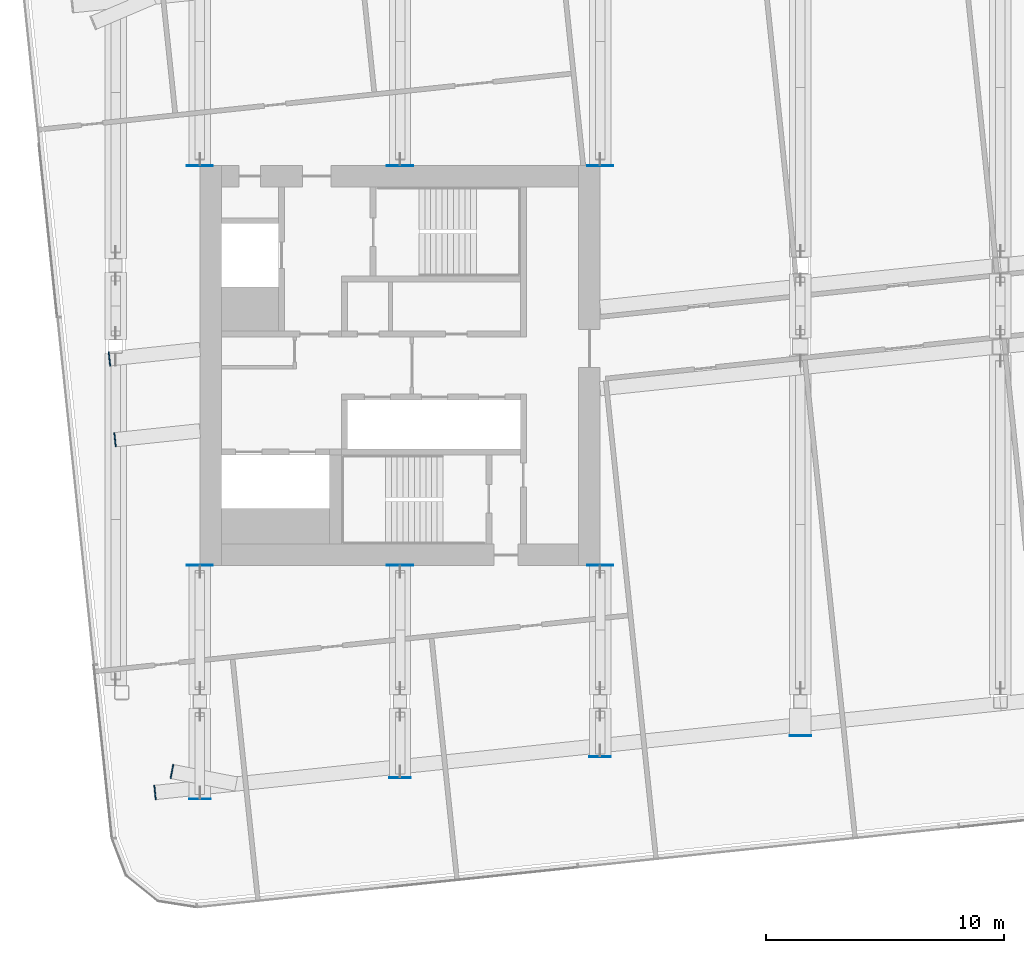
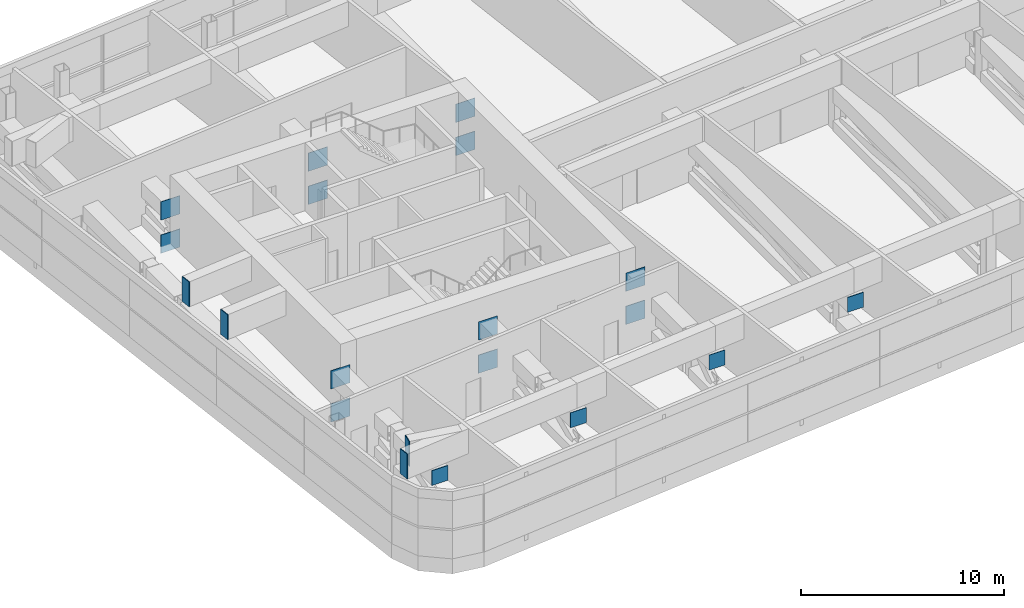
# One storey, part 20 of 33: 20 discrete accessories.
"""IFC4 building model written with IfcOpenShell, lengths in metres."""

from ifc_helpers import new_model, si_unit, direction, frame, origin, origin_2d, place, context, subcontext, project, spatial, rectangle, extrude, material, material_profile, profile_set, type_object, element, save


model = new_model("IFC4")

# Units and contexts
model_context = context("Model", 3, precision=1e-05, world=origin(), true_north=direction((0.0, 1.0)))
body_context = subcontext(model_context, "Body", "Model", "MODEL_VIEW")
ifc_project = project(units=[si_unit("LENGTHUNIT", "METRE"), si_unit("AREAUNIT", "SQUARE_METRE"), si_unit("VOLUMEUNIT", "CUBIC_METRE"), si_unit("PLANEANGLEUNIT", "RADIAN"), si_unit("MASSUNIT", "GRAM", prefix="KILO")], contexts=[model_context])

# Site, building, storey
site_placement = place(None, origin())
site = spatial("IfcSite", under=ifc_project, at=site_placement, CompositionType="ELEMENT")
building_placement = place(site_placement, origin())
building = spatial("IfcBuilding", under=site, at=building_placement, Name="Hakoniwa Tower and Hamabe Station Hall", CompositionType="ELEMENT")
storey_placement = place(building_placement, frame((0.0, 0.0, 228.199951171875)))
storey = spatial("IfcBuildingStorey", under=building, at=storey_placement, Name="L65", CompositionType="ELEMENT", Elevation=228.199951171875)

# Discrete accessories
ifc_material_1 = material(Name="Steel SN490C", Category="steel")
ifc_material_profile_1 = material_profile(ifc_material_1, rectangle(XDim=1.10009765625, YDim=1.10009765625, at=origin_2d()), Name="CAST-IN PLATE BX-900x900x36")
ifc_profile_set_1 = profile_set([ifc_material_profile_1], Name="Steel SN490C")
discrete_accessory_type_1 = type_object("IfcDiscreteAccessoryType", Name="CAST-IN PLATE BX-900x900x36", PredefinedType="ANCHORPLATE", material=ifc_profile_set_1)
for number, where, z_axis, x_axis, name in (
    (1, (-33.60009765625, -8.3701171875, 0.150146484375), (0.0, -1.0, 0.0), (1.0, 0.0, 0.0), "Cast-in plate T4-03-BC01"),
    (2, (-33.60009765625, -8.3701171875, 2.150146484375), (0.0, -1.0, 0.0), (1.0, 0.0, 0.0), "Cast-in plate T4-03-TC01"),
    (3, (-33.60009765625, 8.3701171875, 0.150146484375), (0.0, 1.0, 0.0), (-1.0, 0.0, 0.0), "Cast-in plate T4-04-BC01"),
    (4, (-33.60009765625, 8.3701171875, 2.150146484375), (0.0, 1.0, 0.0), (-1.0, 0.0, 0.0), "Cast-in plate T4-04-TC01"),
    (5, (-25.199951171875, -8.3701171875, 0.150146484375), (0.0, -1.0, 0.0), (1.0, 0.0, 0.0), "Cast-in plate T4-05-BC01"),
    (6, (-25.199951171875, -8.3701171875, 2.150146484375), (0.0, -1.0, 0.0), (1.0, 0.0, 0.0), "Cast-in plate T4-05-TC01"),
    (7, (-25.199951171875, 8.3701171875, 0.150146484375), (0.0, 1.0, 0.0), (-1.0, 0.0, 0.0), "Cast-in plate T4-06-BC01"),
    (8, (-25.199951171875, 8.3701171875, 2.150146484375), (0.0, 1.0, 0.0), (-1.0, 0.0, 0.0), "Cast-in plate T4-06-TC01"),
    (9, (-16.800048828125, -8.3701171875, 0.150146484375), (0.0, -1.0, 0.0), (1.0, 0.0, 0.0), "Cast-in plate T4-07-BC01"),
    (10, (-16.800048828125, -8.3701171875, 2.150146484375), (0.0, -1.0, 0.0), (1.0, 0.0, 0.0), "Cast-in plate T4-07-TC01"),
    (11, (-16.800048828125, 8.3701171875, 0.150146484375), (0.0, 1.0, 0.0), (-1.0, 0.0, 0.0), "Cast-in plate T4-08-BC01"),
    (12, (-16.800048828125, 8.3701171875, 2.150146484375), (0.0, 1.0, 0.0), (-1.0, 0.0, 0.0), "Cast-in plate T4-08-TC01"),
):
    element("IfcDiscreteAccessory", number, at=place(storey_placement, frame(where, z_axis=z_axis, x_axis=x_axis)), inside=storey, type_object=discrete_accessory_type_1, Name=name, PredefinedType="ANCHORPLATE", context=body_context, shape_type="SweptSolid", body=[
        extrude(rectangle(XDim=1.10009765625, YDim=1.10009765625, at=origin_2d()), origin(), (0.0, 0.0, 1.0), 0.02978515625),
    ])
ifc_material_2 = material(Name="Steel SN490C", Category="steel")
ifc_material_profile_2 = material_profile(ifc_material_2, rectangle(XDim=0.60009765625, YDim=1.5, at=origin_2d()), Name="END CAP PLATE BX-1500x600x55")
ifc_profile_set_2 = profile_set([ifc_material_profile_2], Name="Steel SN490C")
discrete_accessory_type_2 = type_object("IfcDiscreteAccessoryType", Name="END CAP PLATE BX-1500x600x55", PredefinedType="USERDEFINED", material=ifc_profile_set_2)
for number, where, z_axis, x_axis, name in (
    (13, (-35.5048828125, -17.922607421875, 3.35009765625), (0.994710856858, 0.102714708045, 0.0), (-0.102714708045, 0.994710856858, 0.0), "End cap plate T4-S-A5-G1"),
    (14, (-37.183837890625, -3.117431640625, 3.35009765625), (0.994710856858, 0.102714708045, 0.0), (-0.102714708045, 0.994710856858, 0.0), "End cap plate T4-S-C5-G1"),
):
    element("IfcDiscreteAccessory", number, at=place(storey_placement, frame(where, z_axis=z_axis, x_axis=x_axis)), inside=storey, type_object=discrete_accessory_type_2, Name=name, ObjectType="END CAP PLATE", PredefinedType="USERDEFINED", context=body_context, shape_type="SweptSolid", body=[
        extrude(rectangle(XDim=0.60009765625, YDim=1.5, at=origin_2d()), origin(), (0.0, 0.0, 1.0), 0.045166015625),
    ])
for number, where, z_axis, x_axis, name in (
    (15, (-37.417724609375, 0.2763671875, 3.35009765625), (0.994653358114, 0.103270020788, 0.0), (-0.103270020788, 0.994653358114, 0.0), "End cap plate T4-S-D5-G1"),
    (16, (-34.7509765625, -17.04296875, 3.35009765625), (-0.981812480306, 0.189853242048, 0.0), (-0.189853242048, -0.981812480306, 0.0), "End cap plate L65-XG1"),
):
    element("IfcDiscreteAccessory", number, at=place(storey_placement, frame(where, z_axis=z_axis, x_axis=x_axis)), inside=storey, type_object=discrete_accessory_type_2, Name=name, ObjectType="END CAP PLATE", PredefinedType="USERDEFINED", context=body_context, shape_type="SweptSolid", body=[
        extrude(rectangle(XDim=0.60009765625, YDim=1.5, at=origin_2d()), origin(), (0.0, 0.0, 1.0), 0.044921875),
    ])
ifc_material_3 = material(Name="Steel SN490C", Category="steel")
ifc_material_profile_3 = material_profile(ifc_material_3, rectangle(XDim=0.89990234375, YDim=0.89990234375, at=origin_2d()), Name="END CAP PLATE BX-900x900x36")
ifc_profile_set_3 = profile_set([ifc_material_profile_3], Name="Steel SN490C")
discrete_accessory_type_3 = type_object("IfcDiscreteAccessoryType", Name="END CAP PLATE BX-900x900x36", PredefinedType="USERDEFINED", material=ifc_profile_set_3)
discrete_accessory_placement = place(storey_placement, frame((-33.60009765625, -18.202880859375, 2.150146484375), z_axis=(0.0, 1.0, 0.0), x_axis=(-1.0, 0.0, 0.0)))
element("IfcDiscreteAccessory", 17, at=discrete_accessory_placement, inside=storey, type_object=discrete_accessory_type_3, Name="End cap plate T4-03-TCL", ObjectType="END CAP PLATE", PredefinedType="USERDEFINED", context=body_context, shape_type="SweptSolid", body=[
    extrude(rectangle(XDim=0.89990234375, YDim=0.89990234375, at=origin_2d()), origin(), (0.0, 0.0, 1.0), 0.02978515625),
])
for number, where, z_axis, x_axis, name in (
    (18, (-25.199951171875, -17.320068359375, 2.150146484375), (0.0, 1.0, 0.0), (-1.0, 0.0, 0.0), "End cap plate T4-05-TCL"),
    (19, (-16.800048828125, -16.43701171875, 2.150146484375), (0.0, 1.0, 0.0), (-1.0, 0.0, 0.0), "End cap plate T4-07-TCL"),
    (20, (-8.39990234375, -15.553955078125, 2.150146484375), (0.0, 1.0, 0.0), (-1.0, 0.0, 0.0), "End cap plate T4-09-TCL"),
):
    element("IfcDiscreteAccessory", number, at=place(storey_placement, frame(where, z_axis=z_axis, x_axis=x_axis)), inside=storey, type_object=discrete_accessory_type_3, Name=name, ObjectType="END CAP PLATE", PredefinedType="USERDEFINED", context=body_context, shape_type="SweptSolid", body=[
        extrude(rectangle(XDim=0.89990234375, YDim=0.89990234375, at=origin_2d()), origin(), (0.0, 0.0, 1.0), 0.030029296875),
    ])

save(model, "model.ifc")
